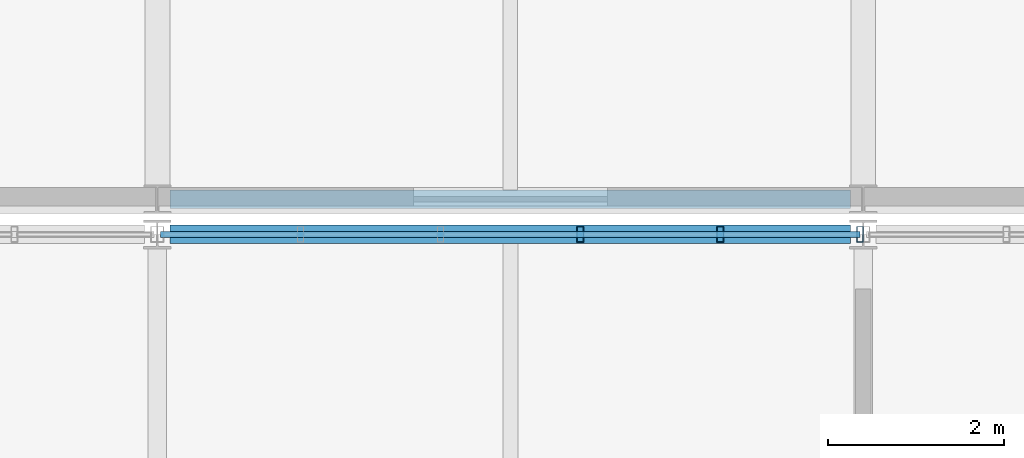
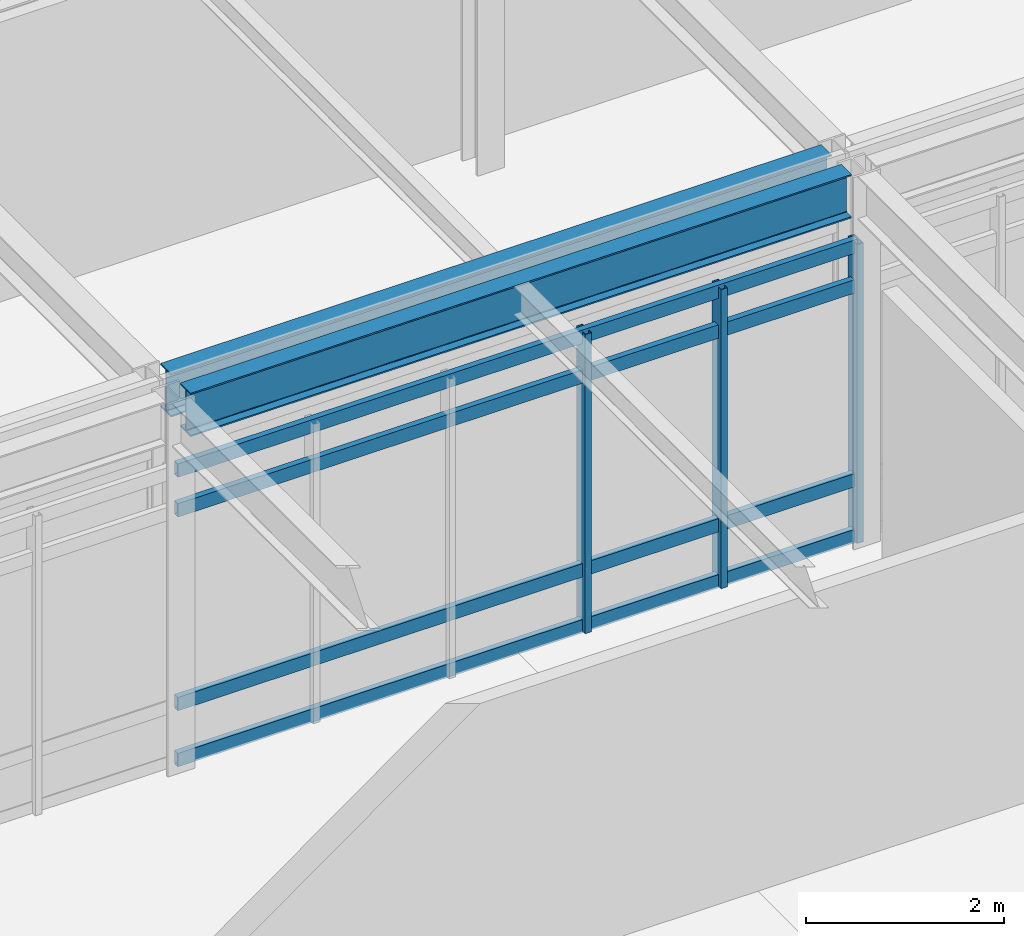
# One storey, part 50 of 104: 7 members, 2 beams, 1 element without a shape of its own.
"""IFC4 building model written with IfcOpenShell, lengths in metres."""

from ifc_helpers import new_model, si_unit, direction, frame, origin, origin_2d, place, context, subcontext, project, spatial, hollow_rectangle, i_section, extrude, material, material_profile, profile_set, type_object, element, aggregate, save


model = new_model("IFC4")

# Units and contexts
model_context = context("Model", 3, precision=1e-05, world=origin(), true_north=direction((0.0, 1.0)))
body_context = subcontext(model_context, "Body", "Model", "MODEL_VIEW")
ifc_project = project(units=[si_unit("LENGTHUNIT", "METRE"), si_unit("AREAUNIT", "SQUARE_METRE"), si_unit("VOLUMEUNIT", "CUBIC_METRE"), si_unit("PLANEANGLEUNIT", "RADIAN"), si_unit("MASSUNIT", "GRAM", prefix="KILO")], contexts=[model_context])

# Site, building, storey
site_placement = place(None, origin())
site = spatial("IfcSite", under=ifc_project, at=site_placement, CompositionType="ELEMENT")
building_placement = place(site_placement, origin())
building = spatial("IfcBuilding", under=site, at=building_placement, Name="Zulena Civic Courthouse", CompositionType="ELEMENT")
storey_placement = place(building_placement, frame((0.0, 0.0, 15.60009765625)))
storey = spatial("IfcBuildingStorey", under=building, at=storey_placement, Name="L03", CompositionType="ELEMENT", Elevation=15.60009765625)

# Curtain wall, members
ifc_material_1 = material(Name="Double-silver low-E laminated solar-control glass", Category="glass")
curtain_wall_type = type_object("IfcCurtainWallType", Name="CW_7928x3690", PredefinedType="USERDEFINED", material=ifc_material_1)
curtain_wall_placement = place(storey_placement, origin())
curtain_wall = element("IfcCurtainWall", 1, at=curtain_wall_placement, inside=storey, type_object=curtain_wall_type, Name="cw:V4:L03:1:3", ObjectType="UNITISED CURTAIN WALL", PredefinedType="USERDEFINED")
ifc_material_2 = material(Name="Bronze anodised thermally broken aluminium AA6063-T6", Category="aluminium")
ifc_material_profile_1 = material_profile(ifc_material_2, hollow_rectangle(XDim=0.074951171875, YDim=0.179931640625, WallThickness=0.0048828125, at=origin_2d()), Name="CWM180X75X5")
ifc_profile_set_1 = profile_set([ifc_material_profile_1], Name="Bronze anodised thermally broken aluminium AA6063-T6")
member_type_1 = type_object("IfcMemberType", Name="CWMullion_180x75", PredefinedType="MULLION", material=ifc_profile_set_1)
member_1_placement = place(storey_placement, frame((96.792724609375, 45.60009765625, 0.0), z_axis=(0.0, 0.0, 1.0), x_axis=(1.0, 0.0, 0.0)))
member_1 = element("IfcMember", 2, at=member_1_placement, type_object=member_type_1, Name="cw:V4:L03:1:3:mull:3", PredefinedType="MULLION", context=body_context, shape_type="SweptSolid", body=[
    extrude(hollow_rectangle(XDim=0.074951171875, YDim=0.179931640625, WallThickness=0.0048828125, at=origin_2d()), origin(), (0.0, 0.0, 1.0), 3.68994140625),
])
member_2_placement = place(storey_placement, frame((98.37841796875, 45.60009765625, 0.0), z_axis=(0.0, 0.0, 1.0), x_axis=(1.0, 0.0, 0.0)))
member_2 = element("IfcMember", 3, at=member_2_placement, type_object=member_type_1, Name="cw:V4:L03:1:3:mull:4", PredefinedType="MULLION", context=body_context, shape_type="SweptSolid", body=[
    extrude(hollow_rectangle(XDim=0.074951171875, YDim=0.179931640625, WallThickness=0.0048828125, at=origin_2d()), origin(), (0.0, 0.0, 1.0), 3.68994140625),
])
member_3_placement = place(storey_placement, frame((99.964111328125, 45.60009765625, 0.0), z_axis=(0.0, 0.0, 1.0), x_axis=(1.0, 0.0, 0.0)))
member_3 = element("IfcMember", 4, at=member_3_placement, type_object=member_type_1, Name="cw:V4:L03:1:3:mull:5", PredefinedType="MULLION", context=body_context, shape_type="SweptSolid", body=[
    extrude(hollow_rectangle(XDim=0.074951171875, YDim=0.179931640625, WallThickness=0.0048828125, at=origin_2d()), origin(), (0.0, 0.0, 1.0), 3.68994140625),
])
ifc_material_profile_2 = material_profile(ifc_material_2, hollow_rectangle(XDim=0.070068359375, YDim=0.1650390625, WallThickness=0.00390625, at=origin_2d()), Name="CWT165X70X4")
ifc_profile_set_2 = profile_set([ifc_material_profile_2], Name="Bronze anodised thermally broken aluminium AA6063-T6")
member_type_2 = type_object("IfcMemberType", Name="CWTransom_165x70", PredefinedType="USERDEFINED", material=ifc_profile_set_2)
member_4_placement = place(storey_placement, frame((92.035888671875, 45.60009765625, 0.059814453125), z_axis=(1.0, 0.0, 0.0), x_axis=(0.0, 1.0, 0.0)))
member_4 = element("IfcMember", 5, at=member_4_placement, type_object=member_type_2, Name="cw:V4:L03:1:3:tran:0", ObjectType="TRANSOM", PredefinedType="USERDEFINED", context=body_context, shape_type="SweptSolid", body=[
    extrude(hollow_rectangle(XDim=0.070068359375, YDim=0.1650390625, WallThickness=0.00390625, at=origin_2d()), origin(), (0.0, 0.0, 1.0), 7.92822265625),
])
member_5_placement = place(storey_placement, frame((92.035888671875, 45.60009765625, 0.75), z_axis=(1.0, 0.0, 0.0), x_axis=(0.0, 1.0, 0.0)))
member_5 = element("IfcMember", 6, at=member_5_placement, type_object=member_type_2, Name="cw:V4:L03:1:3:tran:1", ObjectType="TRANSOM", PredefinedType="USERDEFINED", context=body_context, shape_type="SweptSolid", body=[
    extrude(hollow_rectangle(XDim=0.070068359375, YDim=0.1650390625, WallThickness=0.00390625, at=origin_2d()), origin(), (0.0, 0.0, 1.0), 7.92822265625),
])
member_6_placement = place(storey_placement, frame((92.035888671875, 45.60009765625, 3.139892578125), z_axis=(1.0, 0.0, 0.0), x_axis=(0.0, 1.0, 0.0)))
member_6 = element("IfcMember", 7, at=member_6_placement, type_object=member_type_2, Name="cw:V4:L03:1:3:tran:2", ObjectType="TRANSOM", PredefinedType="USERDEFINED", context=body_context, shape_type="SweptSolid", body=[
    extrude(hollow_rectangle(XDim=0.070068359375, YDim=0.1650390625, WallThickness=0.00390625, at=origin_2d()), origin(), (0.0, 0.0, 1.0), 7.92822265625),
])
member_7_placement = place(storey_placement, frame((92.035888671875, 45.60009765625, 3.6298828125), z_axis=(1.0, 0.0, 0.0), x_axis=(0.0, 1.0, 0.0)))
member_7 = element("IfcMember", 8, at=member_7_placement, type_object=member_type_2, Name="cw:V4:L03:1:3:tran:3", ObjectType="TRANSOM", PredefinedType="USERDEFINED", context=body_context, shape_type="SweptSolid", body=[
    extrude(hollow_rectangle(XDim=0.070068359375, YDim=0.1650390625, WallThickness=0.00390625, at=origin_2d()), origin(), (0.0, 0.0, 1.0), 7.92822265625),
])
aggregate(curtain_wall, [member_1, member_2, member_3, member_4, member_5, member_6, member_7])

# Beams
ifc_material_3 = material(Name="Steel ASTM A992 Grade 50", Category="steel")
ifc_material_profile_3 = material_profile(ifc_material_3, i_section(OverallWidth=0.2099609375, OverallDepth=0.537109375, WebThickness=0.010986328125, FlangeThickness=0.017333984375, FilletRadius=0.0126953125, at=origin_2d()), Name="W21X68")
ifc_profile_set_3 = profile_set([ifc_material_profile_3], Name="Steel ASTM A992 Grade 50")
beam_type = type_object("IfcBeamType", Name="Spandrel_W21X68", PredefinedType="SPANDREL", material=ifc_profile_set_3)
for number, where, z_axis, x_axis, name in (
    (9, (92.14501953125, 45.60009765625, 4.3212890625), (1.0, 0.0, 0.0), (0.0, 1.0, 0.0), "beam:X:V4:L03:45.6:92.0_100.0"),
    (10, (92.14501953125, 46.0, 4.3212890625), (1.0, 0.0, 0.0), (0.0, 1.0, 0.0), "beam:X:V5:L03:46.0:92.0_100.0"),
):
    element("IfcBeam", number, at=place(storey_placement, frame(where, z_axis=z_axis, x_axis=x_axis)), inside=storey, type_object=beam_type, Name=name, PredefinedType="SPANDREL", context=body_context, shape_type="SweptSolid", body=[
        extrude(i_section(OverallWidth=0.2099609375, OverallDepth=0.537109375, WebThickness=0.010986328125, FlangeThickness=0.017333984375, FilletRadius=0.0126953125, at=origin_2d()), origin(), (0.0, 0.0, 1.0), 7.7099609375),
    ])

save(model, "model.ifc")
